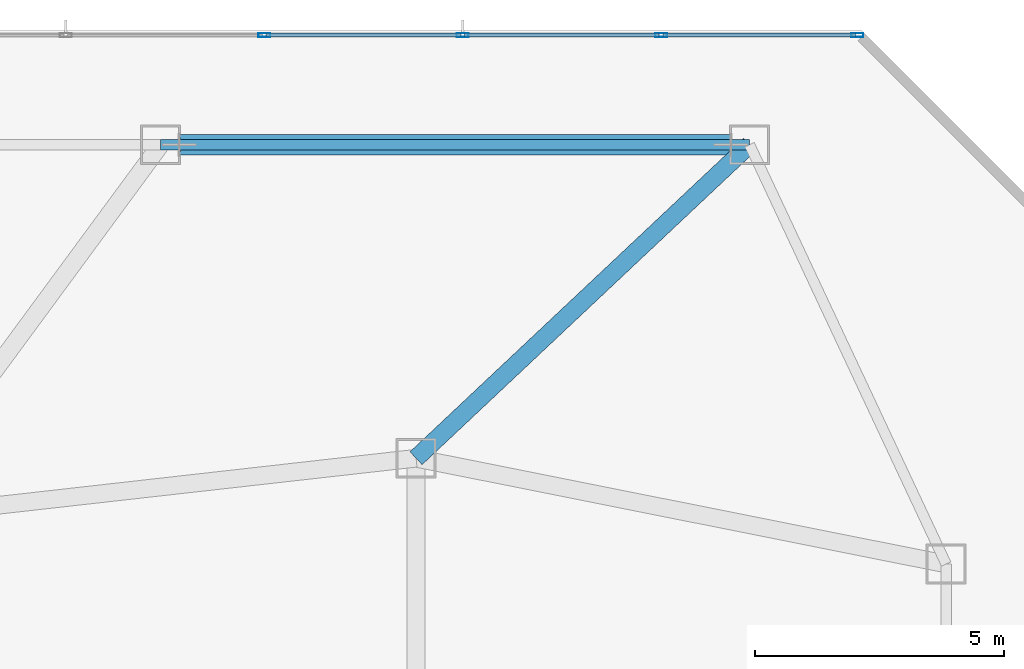
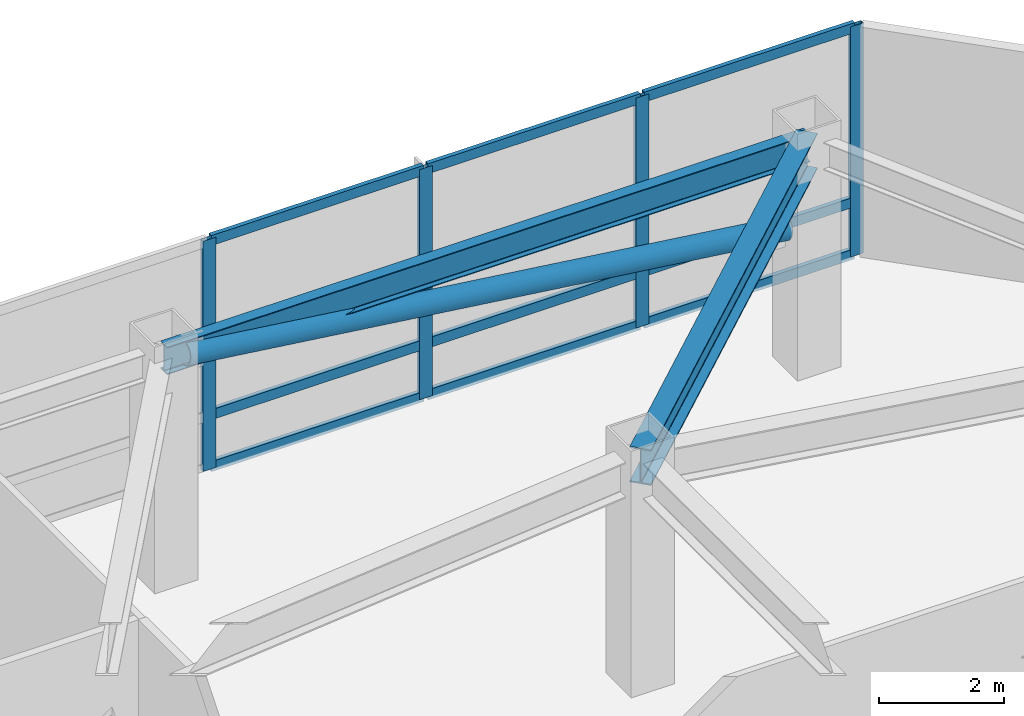
# One storey, part 4 of 16: 14 members, 2 beams, 1 element without a shape of its own.
"""IFC4 building model written with IfcOpenShell, lengths in metres."""

from ifc_helpers import new_model, si_unit, direction, frame, origin, origin_2d, place, context, subcontext, project, spatial, hollow_rectangle, hollow_circle, i_section, extrude, material, material_profile, profile_set, type_object, element, aggregate, save


model = new_model("IFC4")

# Units and contexts
model_context = context("Model", 3, precision=1e-05, world=origin(), true_north=direction((0.0, 1.0)))
body_context = subcontext(model_context, "Body", "Model", "MODEL_VIEW")
ifc_project = project(units=[si_unit("LENGTHUNIT", "METRE"), si_unit("AREAUNIT", "SQUARE_METRE"), si_unit("VOLUMEUNIT", "CUBIC_METRE"), si_unit("PLANEANGLEUNIT", "RADIAN"), si_unit("MASSUNIT", "GRAM", prefix="KILO")], contexts=[model_context])

# Site, building, storey
site_placement = place(None, origin())
site = spatial("IfcSite", under=ifc_project, at=site_placement, CompositionType="ELEMENT")
building_placement = place(site_placement, origin())
building = spatial("IfcBuilding", under=site, at=building_placement, Name="Khamvora Tower", CompositionType="ELEMENT")
storey_placement = place(building_placement, frame((0.0, 0.0, 207.0)))
storey = spatial("IfcBuildingStorey", under=building, at=storey_placement, Name="L53", CompositionType="ELEMENT", Elevation=207.0)

# Beams
ifc_material_1 = material(Name="Steel S355", Category="steel")
ifc_material_profile_1 = material_profile(ifc_material_1, i_section(OverallWidth=0.35498046875, OverallDepth=0.695068359375, WebThickness=0.014892578125, FlangeThickness=0.02490234375, FilletRadius=0.01611328125, at=origin_2d()), Name="W690x217")
ifc_profile_set_1 = profile_set([ifc_material_profile_1], Name="Steel S355")
beam_type_1 = type_object("IfcBeamType", Name="BM-PG-W690x217", PredefinedType="BEAM", material=ifc_profile_set_1)
beam_1_placement = place(storey_placement, frame((50.050048828125, 38.199951171875, 4.132080078125), z_axis=(0.728513992294, 0.685030921224, 0.0), x_axis=(-0.685030921224, 0.728513992294, 0.0)))
element("IfcBeam", 1, at=beam_1_placement, inside=storey, type_object=beam_type_1, Name="L53 primary floor girder N4", PredefinedType="BEAM", context=body_context, shape_type="SweptSolid", body=[
    extrude(i_section(OverallWidth=0.35498046875, OverallDepth=0.695068359375, WebThickness=0.014892578125, FlangeThickness=0.02490234375, FilletRadius=0.01611328125, at=origin_2d()), origin(), (0.0, 0.0, 1.0), 9.19677734375),
])
ifc_material_profile_2 = material_profile(ifc_material_1, i_section(OverallWidth=0.208984375, OverallDepth=0.532958984375, WebThickness=0.010009765625, FlangeThickness=0.01611328125, FilletRadius=0.013916015625, at=origin_2d()), Name="W530x92")
ifc_profile_set_2 = profile_set([ifc_material_profile_2], Name="Steel S355")
beam_type_2 = type_object("IfcBeamType", Name="BM-SP-W530x92", PredefinedType="SPANDREL", material=ifc_profile_set_2)
beam_2_placement = place(storey_placement, frame((56.75, 44.5, 4.212890625), z_axis=(-1.0, 0.0, 0.0), x_axis=(0.0, -1.0, 0.0)))
element("IfcBeam", 2, at=beam_2_placement, inside=storey, type_object=beam_type_2, Name="L53 perimeter spandrel beam N4-N3", PredefinedType="SPANDREL", context=body_context, shape_type="SweptSolid", body=[
    extrude(i_section(OverallWidth=0.208984375, OverallDepth=0.532958984375, WebThickness=0.010009765625, FlangeThickness=0.01611328125, FilletRadius=0.013916015625, at=origin_2d()), origin(), (0.0, 0.0, 1.0), 11.8330078125),
])

# Curtain wall, members
ifc_material_2 = material(Name="Anodised Aluminium 6063-T6", Category="aluminium")
curtain_wall_type = type_object("IfcCurtainWallType", Name="CW-SYS-06", PredefinedType="NOTDEFINED", material=ifc_material_2)
curtain_wall_placement = place(storey_placement, origin())
curtain_wall = element("IfcCurtainWall", 3, at=curtain_wall_placement, inside=storey, type_object=curtain_wall_type, Name="L53 stick curtain wall 07.1", PredefinedType="NOTDEFINED")
ifc_material_profile_3 = material_profile(ifc_material_2, hollow_rectangle(XDim=0.080078125, YDim=0.239990234375, WallThickness=0.0048828125, at=origin_2d()), Name="MUL80x240x5")
ifc_profile_set_3 = profile_set([ifc_material_profile_3], Name="Anodised Aluminium 6063-T6")
member_type_1 = type_object("IfcMemberType", Name="CW-SYS-06-MUL", PredefinedType="MULLION", material=ifc_profile_set_3)
member_1_placement = place(storey_placement, frame((47.001953125, 46.699951171875, 0.0), z_axis=(0.0, 0.0, 1.0), x_axis=(0.0, 1.0, 0.0)))
member_1 = element("IfcMember", 4, at=member_1_placement, type_object=member_type_1, Name="CW-06 mullion 8", PredefinedType="MULLION", context=body_context, shape_type="SweptSolid", body=[
    extrude(hollow_rectangle(XDim=0.080078125, YDim=0.239990234375, WallThickness=0.0048828125, at=origin_2d()), origin(), (0.0, 0.0, 1.0), 4.47998046875),
])
member_2_placement = place(storey_placement, frame((50.987548828125, 46.699951171875, 0.0), z_axis=(0.0, 0.0, 1.0), x_axis=(0.0, 1.0, 0.0)))
member_2 = element("IfcMember", 5, at=member_2_placement, type_object=member_type_1, Name="CW-06 mullion 9", PredefinedType="MULLION", context=body_context, shape_type="SweptSolid", body=[
    extrude(hollow_rectangle(XDim=0.080078125, YDim=0.239990234375, WallThickness=0.0048828125, at=origin_2d()), origin(), (0.0, 0.0, 1.0), 4.47998046875),
])
member_3_placement = place(storey_placement, frame((54.973388671875, 46.699951171875, 0.0), z_axis=(0.0, 0.0, 1.0), x_axis=(0.0, 1.0, 0.0)))
member_3 = element("IfcMember", 6, at=member_3_placement, type_object=member_type_1, Name="CW-06 mullion 10", PredefinedType="MULLION", context=body_context, shape_type="SweptSolid", body=[
    extrude(hollow_rectangle(XDim=0.080078125, YDim=0.239990234375, WallThickness=0.0048828125, at=origin_2d()), origin(), (0.0, 0.0, 1.0), 4.47998046875),
])
member_4_placement = place(storey_placement, frame((58.9189453125, 46.699951171875, 0.0), z_axis=(0.0, 0.0, 1.0), x_axis=(0.0, 1.0, 0.0)))
member_4 = element("IfcMember", 7, at=member_4_placement, type_object=member_type_1, Name="CW-06 mullion 11", PredefinedType="MULLION", context=body_context, shape_type="SweptSolid", body=[
    extrude(hollow_rectangle(XDim=0.080078125, YDim=0.239990234375, WallThickness=0.0048828125, at=origin_2d()), origin(), (0.0, 0.0, 1.0), 4.47998046875),
])
ifc_material_profile_4 = material_profile(ifc_material_2, hollow_rectangle(XDim=0.080078125, YDim=0.195068359375, WallThickness=0.0048828125, at=origin_2d()), Name="TRN80x195x5")
ifc_profile_set_4 = profile_set([ifc_material_profile_4], Name="Anodised Aluminium 6063-T6")
member_type_2 = type_object("IfcMemberType", Name="CW-SYS-06-TRN", PredefinedType="USERDEFINED", material=ifc_profile_set_4)
member_5_placement = place(storey_placement, frame((47.0419921875, 46.699951171875, 0.0400390625), z_axis=(1.0, 0.0, 0.0), x_axis=(0.0, 1.0, 0.0)))
member_5 = element("IfcMember", 8, at=member_5_placement, type_object=member_type_2, Name="CW-06 transom 8.1", ObjectType="TRANSOM", PredefinedType="USERDEFINED", context=body_context, shape_type="SweptSolid", body=[
    extrude(hollow_rectangle(XDim=0.080078125, YDim=0.195068359375, WallThickness=0.0048828125, at=origin_2d()), origin(), (0.0, 0.0, 1.0), 3.905517578125),
])
member_6_placement = place(storey_placement, frame((47.0419921875, 46.699951171875, 1.050048828125), z_axis=(1.0, 0.0, 0.0), x_axis=(0.0, 1.0, 0.0)))
member_6 = element("IfcMember", 9, at=member_6_placement, type_object=member_type_2, Name="CW-06 transom 8.2", ObjectType="TRANSOM", PredefinedType="USERDEFINED", context=body_context, shape_type="SweptSolid", body=[
    extrude(hollow_rectangle(XDim=0.080078125, YDim=0.195068359375, WallThickness=0.0048828125, at=origin_2d()), origin(), (0.0, 0.0, 1.0), 3.905517578125),
])
member_7_placement = place(storey_placement, frame((47.0419921875, 46.699951171875, 4.43994140625), z_axis=(1.0, 0.0, 0.0), x_axis=(0.0, 1.0, 0.0)))
member_7 = element("IfcMember", 10, at=member_7_placement, type_object=member_type_2, Name="CW-06 transom 8.3", ObjectType="TRANSOM", PredefinedType="USERDEFINED", context=body_context, shape_type="SweptSolid", body=[
    extrude(hollow_rectangle(XDim=0.080078125, YDim=0.195068359375, WallThickness=0.0048828125, at=origin_2d()), origin(), (0.0, 0.0, 1.0), 3.905517578125),
])
member_8_placement = place(storey_placement, frame((51.027587890625, 46.699951171875, 0.0400390625), z_axis=(1.0, 0.0, 0.0), x_axis=(0.0, 1.0, 0.0)))
member_8 = element("IfcMember", 11, at=member_8_placement, type_object=member_type_2, Name="CW-06 transom 9.1", ObjectType="TRANSOM", PredefinedType="USERDEFINED", context=body_context, shape_type="SweptSolid", body=[
    extrude(hollow_rectangle(XDim=0.080078125, YDim=0.195068359375, WallThickness=0.0048828125, at=origin_2d()), origin(), (0.0, 0.0, 1.0), 3.90576171875),
])
member_9_placement = place(storey_placement, frame((51.027587890625, 46.699951171875, 1.050048828125), z_axis=(1.0, 0.0, 0.0), x_axis=(0.0, 1.0, 0.0)))
member_9 = element("IfcMember", 12, at=member_9_placement, type_object=member_type_2, Name="CW-06 transom 9.2", ObjectType="TRANSOM", PredefinedType="USERDEFINED", context=body_context, shape_type="SweptSolid", body=[
    extrude(hollow_rectangle(XDim=0.080078125, YDim=0.195068359375, WallThickness=0.0048828125, at=origin_2d()), origin(), (0.0, 0.0, 1.0), 3.90576171875),
])
member_10_placement = place(storey_placement, frame((51.027587890625, 46.699951171875, 4.43994140625), z_axis=(1.0, 0.0, 0.0), x_axis=(0.0, 1.0, 0.0)))
member_10 = element("IfcMember", 13, at=member_10_placement, type_object=member_type_2, Name="CW-06 transom 9.3", ObjectType="TRANSOM", PredefinedType="USERDEFINED", context=body_context, shape_type="SweptSolid", body=[
    extrude(hollow_rectangle(XDim=0.080078125, YDim=0.195068359375, WallThickness=0.0048828125, at=origin_2d()), origin(), (0.0, 0.0, 1.0), 3.90576171875),
])
member_11_placement = place(storey_placement, frame((55.01318359375, 46.699951171875, 0.0400390625), z_axis=(1.0, 0.0, 0.0), x_axis=(0.0, 1.0, 0.0)))
member_11 = element("IfcMember", 14, at=member_11_placement, type_object=member_type_2, Name="CW-06 transom 10.1", ObjectType="TRANSOM", PredefinedType="USERDEFINED", context=body_context, shape_type="SweptSolid", body=[
    extrude(hollow_rectangle(XDim=0.080078125, YDim=0.195068359375, WallThickness=0.0048828125, at=origin_2d()), origin(), (0.0, 0.0, 1.0), 3.86572265625),
])
member_12_placement = place(storey_placement, frame((55.01318359375, 46.699951171875, 1.050048828125), z_axis=(1.0, 0.0, 0.0), x_axis=(0.0, 1.0, 0.0)))
member_12 = element("IfcMember", 15, at=member_12_placement, type_object=member_type_2, Name="CW-06 transom 10.2", ObjectType="TRANSOM", PredefinedType="USERDEFINED", context=body_context, shape_type="SweptSolid", body=[
    extrude(hollow_rectangle(XDim=0.080078125, YDim=0.195068359375, WallThickness=0.0048828125, at=origin_2d()), origin(), (0.0, 0.0, 1.0), 3.86572265625),
])
member_13_placement = place(storey_placement, frame((55.01318359375, 46.699951171875, 4.43994140625), z_axis=(1.0, 0.0, 0.0), x_axis=(0.0, 1.0, 0.0)))
member_13 = element("IfcMember", 16, at=member_13_placement, type_object=member_type_2, Name="CW-06 transom 10.3", ObjectType="TRANSOM", PredefinedType="USERDEFINED", context=body_context, shape_type="SweptSolid", body=[
    extrude(hollow_rectangle(XDim=0.080078125, YDim=0.195068359375, WallThickness=0.0048828125, at=origin_2d()), origin(), (0.0, 0.0, 1.0), 3.86572265625),
])
aggregate(curtain_wall, [member_1, member_2, member_3, member_4, member_5, member_6, member_7, member_8, member_9, member_10, member_11, member_12, member_13])

# Member
ifc_material_profile_5 = material_profile(ifc_material_1, hollow_circle(Radius=0.202880859375, WallThickness=0.01611328125, at=origin_2d()), Name="CHS406x16")
ifc_profile_set_5 = profile_set([ifc_material_profile_5], Name="Steel S355")
member_type_3 = type_object("IfcMemberType", Name="MEM-BR-CHS406", PredefinedType="BRACE", material=ifc_profile_set_5)
member_14_placement = place(storey_placement, frame((56.373046875, 44.5, 2.72900390625), z_axis=(-0.991715296964, 0.0, 0.12845532207), x_axis=(0.0, -1.0, 0.0)))
element("IfcMember", 17, at=member_14_placement, inside=storey, type_object=member_type_3, Name="L53 perimeter wind brace 2", PredefinedType="BRACE", context=body_context, shape_type="SweptSolid", body=[
    extrude(hollow_circle(Radius=0.202880859375, WallThickness=0.01611328125, at=origin_2d()), origin(), (0.0, 0.0, 1.0), 11.171630859375),
])

save(model, "model.ifc")
